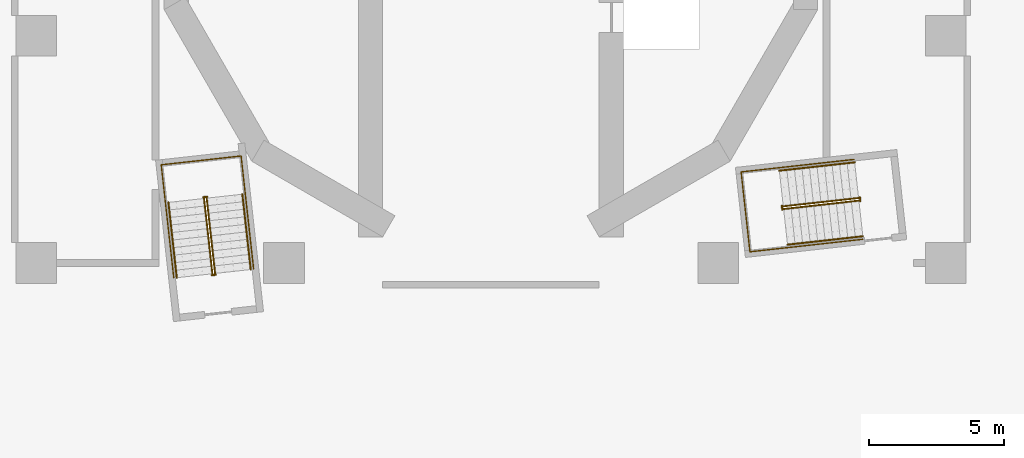
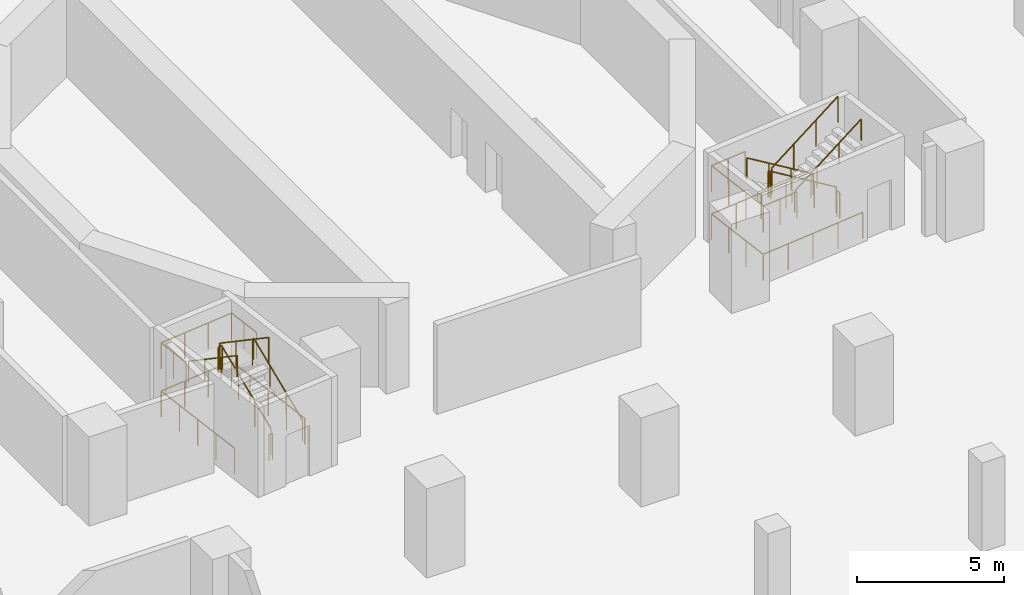
# One storey, part 14 of 18: 14 railings.
"""IFC4 building model written with IfcOpenShell, lengths in metres."""

from ifc_helpers import new_model, si_unit, direction, frame, origin, origin_2d, place, context, subcontext, project, spatial, circle, extrude, material, type_object, element, save


model = new_model("IFC4")

# Units and contexts
model_context = context("Model", 3, precision=1e-05, world=origin(), true_north=direction((0.0, 1.0)))
body_context = subcontext(model_context, "Body", "Model", "MODEL_VIEW")
ifc_project = project(units=[si_unit("LENGTHUNIT", "METRE"), si_unit("AREAUNIT", "SQUARE_METRE"), si_unit("VOLUMEUNIT", "CUBIC_METRE"), si_unit("PLANEANGLEUNIT", "RADIAN"), si_unit("MASSUNIT", "GRAM", prefix="KILO")], contexts=[model_context])

# Site, building, storey
site_placement = place(None, origin())
site = spatial("IfcSite", under=ifc_project, at=site_placement, CompositionType="ELEMENT")
building_placement = place(site_placement, origin())
building = spatial("IfcBuilding", under=site, at=building_placement, Name="Cantera Rosa Tower", CompositionType="ELEMENT")
storey_placement = place(building_placement, frame((0.0, 0.0, -13.0)))
storey = spatial("IfcBuildingStorey", under=building, at=storey_placement, Name="B3", CompositionType="ELEMENT", Elevation=-13.0)

# Railings
ifc_material_1 = material(Name="Steel S355J2 (EN 10025-2)", Category="steel")
railing_type_1 = type_object("IfcRailingType", Name="STAIR GUARD 1100", PredefinedType="GUARDRAIL", material=ifc_material_1)
railing_1_placement = place(storey_placement, frame((-10.19677734375, -12.986083984375, 0.181884765625)))
element("IfcRailing", 1, at=railing_1_placement, inside=storey, type_object=railing_type_1, Name="B3 ST-13 stair guard 1", PredefinedType="GUARDRAIL", context=body_context, shape_type="SweptSolid", body=[
    extrude(circle(Radius=0.02392578125, at=origin_2d()), frame((0.0, 0.0, 1.076171875), z_axis=(-0.09250714026, 0.833588056777, 0.544585512661), x_axis=(-0.993898612038, -0.110297547524, 0.0)), (0.0, 0.0, 1.0), 3.338623046875),
    extrude(circle(Radius=0.02392578125, at=origin_2d()), frame((-0.308837890625, 2.782958984375, 2.89404296875), z_axis=(0.360141847183, 0.932897555956, 0.0), x_axis=(-0.932897555956, 0.360141847183, 0.0)), (0.0, 0.0, 1.0), 0.05615234375),
    extrude(circle(Radius=0.02392578125, at=origin_2d()), frame((-0.28857421875, 2.83544921875, 2.89404296875), z_axis=(-0.993863881828, -0.110610055588, 0.0), x_axis=(0.110610055588, -0.993863881828, 0.0)), (0.0, 0.0, 1.0), 0.150146484375),
    extrude(circle(Radius=0.02099609375, at=origin_2d()), origin(), (0.0, 0.0, 1.0), 1.052001953125),
    extrude(circle(Radius=0.02099609375, at=origin_2d()), frame((-0.10302734375, 0.927734375, 0.60595703125)), (0.0, 0.0, 1.0), 1.052001953125),
    extrude(circle(Radius=0.02099609375, at=origin_2d()), frame((-0.205810546875, 1.855224609375, 1.212158203125)), (0.0, 0.0, 1.0), 1.052001953125),
    extrude(circle(Radius=0.02099609375, at=origin_2d()), frame((-0.308837890625, 2.782958984375, 1.818115234375)), (0.0, 0.0, 1.0), 1.052001953125),
    extrude(circle(Radius=0.02099609375, at=origin_2d()), frame((-0.28857421875, 2.83544921875, 1.818115234375)), (0.0, 0.0, 1.0), 1.052001953125),
    extrude(circle(Radius=0.02099609375, at=origin_2d()), frame((-0.437744140625, 2.81884765625, 1.818115234375)), (0.0, 0.0, 1.0), 1.052001953125),
])
railing_2_placement = place(storey_placement, frame((-10.60302734375, -10.2138671875, 2.181884765625)))
element("IfcRailing", 2, at=railing_2_placement, inside=storey, type_object=railing_type_1, Name="B3 ST-13 stair guard 2", PredefinedType="GUARDRAIL", context=body_context, shape_type="SweptSolid", body=[
    extrude(circle(Radius=0.02392578125, at=origin_2d()), frame((0.0, 0.0, 1.076171875), z_axis=(0.09250714026, -0.833588056777, 0.544585512661), x_axis=(0.993898612038, 0.110297547524, 0.0)), (0.0, 0.0, 1.0), 3.338623046875),
    extrude(circle(Radius=0.02099609375, at=origin_2d()), origin(), (0.0, 0.0, 1.0), 1.052001953125),
    extrude(circle(Radius=0.02099609375, at=origin_2d()), frame((0.10302734375, -0.927734375, 0.60595703125)), (0.0, 0.0, 1.0), 1.052001953125),
    extrude(circle(Radius=0.02099609375, at=origin_2d()), frame((0.205810546875, -1.855224609375, 1.212158203125)), (0.0, 0.0, 1.0), 1.052001953125),
    extrude(circle(Radius=0.02099609375, at=origin_2d()), frame((0.308837890625, -2.782958984375, 1.818115234375)), (0.0, 0.0, 1.0), 1.052001953125),
])
railing_3_placement = place(storey_placement, frame((-10.16552734375, -13.032958984375, 0.0)))
element("IfcRailing", 3, at=railing_3_placement, inside=storey, type_object=railing_type_1, Name="B3 ST-13 stair guard 3", PredefinedType="GUARDRAIL", context=body_context, shape_type="SweptSolid", body=[
    extrude(circle(Radius=0.02392578125, at=origin_2d()), frame((0.0, 0.0, 1.076171875), z_axis=(-0.994041430915, -0.1090029065, 0.0), x_axis=(0.1090029065, -0.994041430915, 0.0)), (0.0, 0.0, 1.0), 0.150146484375),
    extrude(circle(Radius=0.02099609375, at=origin_2d()), origin(), (0.0, 0.0, 1.0), 1.052001953125),
    extrude(circle(Radius=0.02099609375, at=origin_2d()), frame((-0.149169921875, -0.016357421875, 0.0)), (0.0, 0.0, 1.0), 1.052001953125),
])
railing_4_placement = place(storey_placement, frame((-8.77099609375, -12.815673828125, 0.0)))
element("IfcRailing", 4, at=railing_4_placement, inside=storey, type_object=railing_type_1, Name="B3 ST-13 stair guard 4", PredefinedType="GUARDRAIL", context=body_context, shape_type="SweptSolid", body=[
    extrude(circle(Radius=0.02392578125, at=origin_2d()), frame((0.0, 0.0, 1.076171875), z_axis=(-0.110323013767, 0.9938957856, 0.0), x_axis=(-0.9938957856, -0.110323013767, 0.0)), (0.0, 0.0, 1.0), 4.197998046875),
    extrude(circle(Radius=0.02392578125, at=origin_2d()), frame((-0.463134765625, 4.17236328125, 1.076171875), z_axis=(-0.993896759678, -0.110314237986, 0.0), x_axis=(0.110314237986, -0.993896759678, 0.0)), (0.0, 0.0, 1.0), 2.969970703125),
    extrude(circle(Radius=0.02392578125, at=origin_2d()), frame((-3.4150390625, 3.8447265625, 1.076171875), z_axis=(0.110323013767, -0.9938957856, 0.0), x_axis=(0.9938957856, 0.110323013767, 0.0)), (0.0, 0.0, 1.0), 4.197998046875),
    extrude(circle(Radius=0.02099609375, at=origin_2d()), origin(), (0.0, 0.0, 1.0), 1.052001953125),
    extrude(circle(Radius=0.02099609375, at=origin_2d()), frame((-0.11572265625, 1.04296875, 0.0)), (0.0, 0.0, 1.0), 1.052001953125),
    extrude(circle(Radius=0.02099609375, at=origin_2d()), frame((-0.2314453125, 2.086181640625, 0.0)), (0.0, 0.0, 1.0), 1.052001953125),
    extrude(circle(Radius=0.02099609375, at=origin_2d()), frame((-0.347412109375, 3.12939453125, 0.0)), (0.0, 0.0, 1.0), 1.052001953125),
    extrude(circle(Radius=0.02099609375, at=origin_2d()), frame((-0.463134765625, 4.17236328125, 0.0)), (0.0, 0.0, 1.0), 1.052001953125),
    extrude(circle(Radius=0.02099609375, at=origin_2d()), frame((-1.447021484375, 4.063232421875, 0.0)), (0.0, 0.0, 1.0), 1.052001953125),
    extrude(circle(Radius=0.02099609375, at=origin_2d()), frame((-2.43115234375, 3.953857421875, 0.0)), (0.0, 0.0, 1.0), 1.052001953125),
    extrude(circle(Radius=0.02099609375, at=origin_2d()), frame((-3.4150390625, 3.8447265625, 0.0)), (0.0, 0.0, 1.0), 1.052001953125),
    extrude(circle(Radius=0.02099609375, at=origin_2d()), frame((-3.29931640625, 2.8017578125, 0.0)), (0.0, 0.0, 1.0), 1.052001953125),
    extrude(circle(Radius=0.02099609375, at=origin_2d()), frame((-3.18359375, 1.758544921875, 0.0)), (0.0, 0.0, 1.0), 1.052001953125),
    extrude(circle(Radius=0.02099609375, at=origin_2d()), frame((-3.067626953125, 0.71533203125, 0.0)), (0.0, 0.0, 1.0), 1.052001953125),
    extrude(circle(Radius=0.02099609375, at=origin_2d()), frame((-2.951904296875, -0.32763671875, 0.0)), (0.0, 0.0, 1.0), 1.052001953125),
])
railing_5_placement = place(storey_placement, frame((-9.0771484375, -10.056640625, 2.0)))
element("IfcRailing", 5, at=railing_5_placement, inside=storey, type_object=railing_type_1, Name="B3 ST-13 stair guard 5", PredefinedType="GUARDRAIL", context=body_context, shape_type="SweptSolid", body=[
    extrude(circle(Radius=0.02392578125, at=origin_2d()), frame((0.0, 0.0, 1.076171875), z_axis=(-0.110393838913, 0.993887921413, 0.0), x_axis=(-0.993887921413, -0.110393838913, 0.0)), (0.0, 0.0, 1.0), 1.422119140625),
    extrude(circle(Radius=0.02392578125, at=origin_2d()), frame((-0.156982421875, 1.413330078125, 1.076171875), z_axis=(-0.993896759678, -0.110314237986, 0.0), x_axis=(0.110314237986, -0.993896759678, 0.0)), (0.0, 0.0, 1.0), 2.969970703125),
    extrude(circle(Radius=0.02392578125, at=origin_2d()), frame((-3.10888671875, 1.085693359375, 1.076171875), z_axis=(0.110393838913, -0.993887921413, 0.0), x_axis=(0.993887921413, 0.110393838913, 0.0)), (0.0, 0.0, 1.0), 1.422119140625),
    extrude(circle(Radius=0.02099609375, at=origin_2d()), origin(), (0.0, 0.0, 1.0), 1.052001953125),
    extrude(circle(Radius=0.02099609375, at=origin_2d()), frame((-0.07861328125, 0.70654296875, 0.0)), (0.0, 0.0, 1.0), 1.052001953125),
    extrude(circle(Radius=0.02099609375, at=origin_2d()), frame((-0.156982421875, 1.413330078125, 0.0)), (0.0, 0.0, 1.0), 1.052001953125),
    extrude(circle(Radius=0.02099609375, at=origin_2d()), frame((-1.140869140625, 1.30419921875, 0.0)), (0.0, 0.0, 1.0), 1.052001953125),
    extrude(circle(Radius=0.02099609375, at=origin_2d()), frame((-2.125, 1.19482421875, 0.0)), (0.0, 0.0, 1.0), 1.052001953125),
    extrude(circle(Radius=0.02099609375, at=origin_2d()), frame((-3.10888671875, 1.085693359375, 0.0)), (0.0, 0.0, 1.0), 1.052001953125),
    extrude(circle(Radius=0.02099609375, at=origin_2d()), frame((-3.0302734375, 0.37890625, 0.0)), (0.0, 0.0, 1.0), 1.052001953125),
    extrude(circle(Radius=0.02099609375, at=origin_2d()), frame((-2.951904296875, -0.32763671875, 0.0)), (0.0, 0.0, 1.0), 1.052001953125),
])
railing_6_placement = place(storey_placement, frame((13.5859375, -10.19677734375, 0.181884765625)))
element("IfcRailing", 6, at=railing_6_placement, inside=storey, type_object=railing_type_1, Name="B3 ST-14 stair guard 1", PredefinedType="GUARDRAIL", context=body_context, shape_type="SweptSolid", body=[
    extrude(circle(Radius=0.02392578125, at=origin_2d()), frame((0.0, 0.0, 1.076171875), z_axis=(-0.833565741067, -0.09251277965, 0.544618711504), x_axis=(0.110307106705, -0.993897551164, 0.0)), (0.0, 0.0, 1.0), 3.33837890625),
    extrude(circle(Radius=0.02392578125, at=origin_2d()), frame((-2.78271484375, -0.308837890625, 2.89404296875), z_axis=(-0.933456941688, 0.358689472963, 0.0), x_axis=(-0.358689472963, -0.933456941688, 0.0)), (0.0, 0.0, 1.0), 0.056396484375),
    extrude(circle(Radius=0.02392578125, at=origin_2d()), frame((-2.83544921875, -0.28857421875, 2.89404296875), z_axis=(0.110610055588, -0.993863881828, 0.0), x_axis=(0.993863881828, 0.110610055588, 0.0)), (0.0, 0.0, 1.0), 0.150146484375),
    extrude(circle(Radius=0.02099609375, at=origin_2d()), origin(), (0.0, 0.0, 1.0), 1.052001953125),
    extrude(circle(Radius=0.02099609375, at=origin_2d()), frame((-0.927490234375, -0.10302734375, 0.60595703125)), (0.0, 0.0, 1.0), 1.052001953125),
    extrude(circle(Radius=0.02099609375, at=origin_2d()), frame((-1.855224609375, -0.205810546875, 1.212158203125)), (0.0, 0.0, 1.0), 1.052001953125),
    extrude(circle(Radius=0.02099609375, at=origin_2d()), frame((-2.78271484375, -0.308837890625, 1.818115234375)), (0.0, 0.0, 1.0), 1.052001953125),
    extrude(circle(Radius=0.02099609375, at=origin_2d()), frame((-2.83544921875, -0.28857421875, 1.818115234375)), (0.0, 0.0, 1.0), 1.052001953125),
    extrude(circle(Radius=0.02099609375, at=origin_2d()), frame((-2.81884765625, -0.437744140625, 1.818115234375)), (0.0, 0.0, 1.0), 1.052001953125),
])
railing_7_placement = place(storey_placement, frame((10.81396484375, -10.60302734375, 2.181884765625)))
element("IfcRailing", 7, at=railing_7_placement, inside=storey, type_object=railing_type_1, Name="B3 ST-14 stair guard 2", PredefinedType="GUARDRAIL", context=body_context, shape_type="SweptSolid", body=[
    extrude(circle(Radius=0.02392578125, at=origin_2d()), frame((0.0, 0.0, 1.076171875), z_axis=(0.833588056777, 0.09250714026, 0.544585512661), x_axis=(-0.110297547524, 0.993898612038, 0.0)), (0.0, 0.0, 1.0), 3.338623046875),
    extrude(circle(Radius=0.02099609375, at=origin_2d()), origin(), (0.0, 0.0, 1.0), 1.052001953125),
    extrude(circle(Radius=0.02099609375, at=origin_2d()), frame((0.927734375, 0.10302734375, 0.60595703125)), (0.0, 0.0, 1.0), 1.052001953125),
    extrude(circle(Radius=0.02099609375, at=origin_2d()), frame((1.855224609375, 0.205810546875, 1.212158203125)), (0.0, 0.0, 1.0), 1.052001953125),
    extrude(circle(Radius=0.02099609375, at=origin_2d()), frame((2.782958984375, 0.308837890625, 1.818115234375)), (0.0, 0.0, 1.0), 1.052001953125),
])
railing_8_placement = place(storey_placement, frame((13.6328125, -10.16552734375, 0.0)))
element("IfcRailing", 8, at=railing_8_placement, inside=storey, type_object=railing_type_1, Name="B3 ST-14 stair guard 3", PredefinedType="GUARDRAIL", context=body_context, shape_type="SweptSolid", body=[
    extrude(circle(Radius=0.02392578125, at=origin_2d()), frame((0.0, 0.0, 1.076171875), z_axis=(0.110610055588, -0.993863881828, 0.0), x_axis=(0.993863881828, 0.110610055588, 0.0)), (0.0, 0.0, 1.0), 0.150146484375),
    extrude(circle(Radius=0.02099609375, at=origin_2d()), origin(), (0.0, 0.0, 1.0), 1.052001953125),
    extrude(circle(Radius=0.02099609375, at=origin_2d()), frame((0.0166015625, -0.149169921875, 0.0)), (0.0, 0.0, 1.0), 1.052001953125),
])
railing_9_placement = place(storey_placement, frame((13.415771484375, -8.77099609375, 0.0)))
element("IfcRailing", 9, at=railing_9_placement, inside=storey, type_object=railing_type_1, Name="B3 ST-14 stair guard 4", PredefinedType="GUARDRAIL", context=body_context, shape_type="SweptSolid", body=[
    extrude(circle(Radius=0.02392578125, at=origin_2d()), frame((0.0, 0.0, 1.076171875), z_axis=(-0.9938957856, -0.110323013767, 0.0), x_axis=(0.110323013767, -0.9938957856, 0.0)), (0.0, 0.0, 1.0), 4.197998046875),
    extrude(circle(Radius=0.02392578125, at=origin_2d()), frame((-4.17236328125, -0.463134765625, 1.076171875), z_axis=(0.110314237986, -0.993896759678, 0.0), x_axis=(0.993896759678, 0.110314237986, 0.0)), (0.0, 0.0, 1.0), 2.969970703125),
    extrude(circle(Radius=0.02392578125, at=origin_2d()), frame((-3.8447265625, -3.4150390625, 1.076171875), z_axis=(0.9938957856, 0.110323013767, 0.0), x_axis=(-0.110323013767, 0.9938957856, 0.0)), (0.0, 0.0, 1.0), 4.197998046875),
    extrude(circle(Radius=0.02099609375, at=origin_2d()), origin(), (0.0, 0.0, 1.0), 1.052001953125),
    extrude(circle(Radius=0.02099609375, at=origin_2d()), frame((-1.04296875, -0.11572265625, 0.0)), (0.0, 0.0, 1.0), 1.052001953125),
    extrude(circle(Radius=0.02099609375, at=origin_2d()), frame((-2.086181640625, -0.2314453125, 0.0)), (0.0, 0.0, 1.0), 1.052001953125),
    extrude(circle(Radius=0.02099609375, at=origin_2d()), frame((-3.12939453125, -0.347412109375, 0.0)), (0.0, 0.0, 1.0), 1.052001953125),
    extrude(circle(Radius=0.02099609375, at=origin_2d()), frame((-4.17236328125, -0.463134765625, 0.0)), (0.0, 0.0, 1.0), 1.052001953125),
    extrude(circle(Radius=0.02099609375, at=origin_2d()), frame((-4.063232421875, -1.447021484375, 0.0)), (0.0, 0.0, 1.0), 1.052001953125),
    extrude(circle(Radius=0.02099609375, at=origin_2d()), frame((-3.953857421875, -2.43115234375, 0.0)), (0.0, 0.0, 1.0), 1.052001953125),
    extrude(circle(Radius=0.02099609375, at=origin_2d()), frame((-3.8447265625, -3.4150390625, 0.0)), (0.0, 0.0, 1.0), 1.052001953125),
    extrude(circle(Radius=0.02099609375, at=origin_2d()), frame((-2.8017578125, -3.29931640625, 0.0)), (0.0, 0.0, 1.0), 1.052001953125),
    extrude(circle(Radius=0.02099609375, at=origin_2d()), frame((-1.758544921875, -3.18359375, 0.0)), (0.0, 0.0, 1.0), 1.052001953125),
    extrude(circle(Radius=0.02099609375, at=origin_2d()), frame((-0.71533203125, -3.067626953125, 0.0)), (0.0, 0.0, 1.0), 1.052001953125),
    extrude(circle(Radius=0.02099609375, at=origin_2d()), frame((0.32763671875, -2.951904296875, 0.0)), (0.0, 0.0, 1.0), 1.052001953125),
])
railing_10_placement = place(storey_placement, frame((10.65673828125, -9.0771484375, 2.0)))
element("IfcRailing", 10, at=railing_10_placement, inside=storey, type_object=railing_type_1, Name="B3 ST-14 stair guard 5", PredefinedType="GUARDRAIL", context=body_context, shape_type="SweptSolid", body=[
    extrude(circle(Radius=0.02392578125, at=origin_2d()), frame((0.0, 0.0, 1.076171875), z_axis=(-0.993887921413, -0.110393838913, 0.0), x_axis=(0.110393838913, -0.993887921413, 0.0)), (0.0, 0.0, 1.0), 1.422119140625),
    extrude(circle(Radius=0.02392578125, at=origin_2d()), frame((-1.413330078125, -0.156982421875, 1.076171875), z_axis=(0.110314237986, -0.993896759678, 0.0), x_axis=(0.993896759678, 0.110314237986, 0.0)), (0.0, 0.0, 1.0), 2.969970703125),
    extrude(circle(Radius=0.02392578125, at=origin_2d()), frame((-1.085693359375, -3.10888671875, 1.076171875), z_axis=(0.993887921413, 0.110393838913, 0.0), x_axis=(-0.110393838913, 0.993887921413, 0.0)), (0.0, 0.0, 1.0), 1.422119140625),
    extrude(circle(Radius=0.02099609375, at=origin_2d()), origin(), (0.0, 0.0, 1.0), 1.052001953125),
    extrude(circle(Radius=0.02099609375, at=origin_2d()), frame((-0.70654296875, -0.07861328125, 0.0)), (0.0, 0.0, 1.0), 1.052001953125),
    extrude(circle(Radius=0.02099609375, at=origin_2d()), frame((-1.413330078125, -0.156982421875, 0.0)), (0.0, 0.0, 1.0), 1.052001953125),
    extrude(circle(Radius=0.02099609375, at=origin_2d()), frame((-1.30419921875, -1.140869140625, 0.0)), (0.0, 0.0, 1.0), 1.052001953125),
    extrude(circle(Radius=0.02099609375, at=origin_2d()), frame((-1.19482421875, -2.125, 0.0)), (0.0, 0.0, 1.0), 1.052001953125),
    extrude(circle(Radius=0.02099609375, at=origin_2d()), frame((-1.085693359375, -3.10888671875, 0.0)), (0.0, 0.0, 1.0), 1.052001953125),
    extrude(circle(Radius=0.02099609375, at=origin_2d()), frame((-0.37890625, -3.0302734375, 0.0)), (0.0, 0.0, 1.0), 1.052001953125),
    extrude(circle(Radius=0.02099609375, at=origin_2d()), frame((0.32763671875, -2.951904296875, 0.0)), (0.0, 0.0, 1.0), 1.052001953125),
])
ifc_material_2 = material(Name="Steel S355J2 (EN 10025-2)", Category="steel")
railing_type_2 = type_object("IfcRailingType", Name="STAIR HANDRAIL 900", PredefinedType="HANDRAIL", material=ifc_material_2)
railing_11_placement = place(storey_placement, frame((-8.87890625, -12.83984375, 0.181884765625)))
element("IfcRailing", 11, at=railing_11_placement, inside=storey, type_object=railing_type_2, Name="B3 ST-13 stair handrail 1", PredefinedType="HANDRAIL", context=body_context, shape_type="SweptSolid", body=[
    extrude(circle(Radius=0.02392578125, at=origin_2d()), frame((0.0, 0.0, 0.8759765625), z_axis=(-0.09250714026, 0.833588056777, 0.544585512661), x_axis=(-0.993898612038, -0.110297547524, 0.0)), (0.0, 0.0, 1.0), 3.338623046875),
    extrude(circle(Radius=0.02099609375, at=origin_2d()), origin(), (0.0, 0.0, 1.0), 0.851806640625),
    extrude(circle(Radius=0.02099609375, at=origin_2d()), frame((-0.10302734375, 0.927734375, 0.60595703125)), (0.0, 0.0, 1.0), 0.851806640625),
    extrude(circle(Radius=0.02099609375, at=origin_2d()), frame((-0.205810546875, 1.855224609375, 1.212158203125)), (0.0, 0.0, 1.0), 0.851806640625),
    extrude(circle(Radius=0.02099609375, at=origin_2d()), frame((-0.308837890625, 2.782958984375, 1.818115234375)), (0.0, 0.0, 1.0), 0.851806640625),
])
railing_12_placement = place(storey_placement, frame((-11.921142578125, -10.360107421875, 2.181884765625)))
element("IfcRailing", 12, at=railing_12_placement, inside=storey, type_object=railing_type_2, Name="B3 ST-13 stair handrail 2", PredefinedType="HANDRAIL", context=body_context, shape_type="SweptSolid", body=[
    extrude(circle(Radius=0.02392578125, at=origin_2d()), frame((0.0, 0.0, 0.8759765625), z_axis=(0.092579641899, -0.833582415484, 0.544581827187), x_axis=(0.99388905004, 0.110383677283, 0.0)), (0.0, 0.0, 1.0), 3.338623046875),
    extrude(circle(Radius=0.02099609375, at=origin_2d()), origin(), (0.0, 0.0, 1.0), 0.851806640625),
    extrude(circle(Radius=0.02099609375, at=origin_2d()), frame((0.10302734375, -0.927734375, 0.60595703125)), (0.0, 0.0, 1.0), 0.851806640625),
    extrude(circle(Radius=0.02099609375, at=origin_2d()), frame((0.2060546875, -1.855224609375, 1.212158203125)), (0.0, 0.0, 1.0), 0.851806640625),
    extrude(circle(Radius=0.02099609375, at=origin_2d()), frame((0.30908203125, -2.782958984375, 1.818115234375)), (0.0, 0.0, 1.0), 0.851806640625),
])
railing_13_placement = place(storey_placement, frame((13.439697265625, -8.87890625, 0.181884765625)))
element("IfcRailing", 13, at=railing_13_placement, inside=storey, type_object=railing_type_2, Name="B3 ST-14 stair handrail 1", PredefinedType="HANDRAIL", context=body_context, shape_type="SweptSolid", body=[
    extrude(circle(Radius=0.02392578125, at=origin_2d()), frame((0.0, 0.0, 0.8759765625), z_axis=(-0.833565741067, -0.09251277965, 0.544618711504), x_axis=(0.110307106705, -0.993897551164, 0.0)), (0.0, 0.0, 1.0), 3.33837890625),
    extrude(circle(Radius=0.02099609375, at=origin_2d()), origin(), (0.0, 0.0, 1.0), 0.851806640625),
    extrude(circle(Radius=0.02099609375, at=origin_2d()), frame((-0.927490234375, -0.10302734375, 0.60595703125)), (0.0, 0.0, 1.0), 0.851806640625),
    extrude(circle(Radius=0.02099609375, at=origin_2d()), frame((-1.855224609375, -0.205810546875, 1.212158203125)), (0.0, 0.0, 1.0), 0.851806640625),
    extrude(circle(Radius=0.02099609375, at=origin_2d()), frame((-2.78271484375, -0.308837890625, 1.818115234375)), (0.0, 0.0, 1.0), 0.851806640625),
])
railing_14_placement = place(storey_placement, frame((10.960205078125, -11.921142578125, 2.181884765625)))
element("IfcRailing", 14, at=railing_14_placement, inside=storey, type_object=railing_type_2, Name="B3 ST-14 stair handrail 2", PredefinedType="HANDRAIL", context=body_context, shape_type="SweptSolid", body=[
    extrude(circle(Radius=0.02392578125, at=origin_2d()), frame((0.0, 0.0, 0.8759765625), z_axis=(0.833582415484, 0.092579641899, 0.544581827187), x_axis=(-0.110383677283, 0.99388905004, 0.0)), (0.0, 0.0, 1.0), 3.338623046875),
    extrude(circle(Radius=0.02099609375, at=origin_2d()), origin(), (0.0, 0.0, 1.0), 0.851806640625),
    extrude(circle(Radius=0.02099609375, at=origin_2d()), frame((0.927734375, 0.10302734375, 0.60595703125)), (0.0, 0.0, 1.0), 0.851806640625),
    extrude(circle(Radius=0.02099609375, at=origin_2d()), frame((1.855224609375, 0.2060546875, 1.212158203125)), (0.0, 0.0, 1.0), 0.851806640625),
    extrude(circle(Radius=0.02099609375, at=origin_2d()), frame((2.782958984375, 0.30908203125, 1.818115234375)), (0.0, 0.0, 1.0), 0.851806640625),
])

save(model, "model.ifc")
